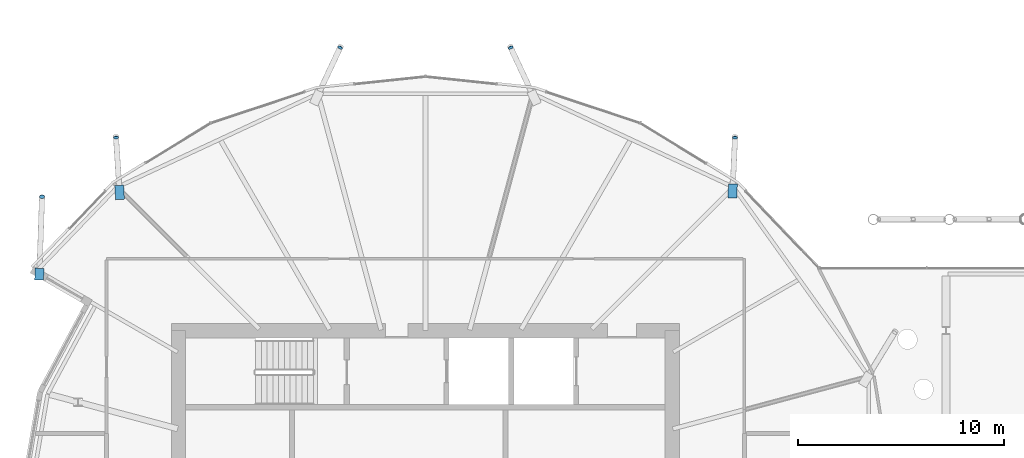
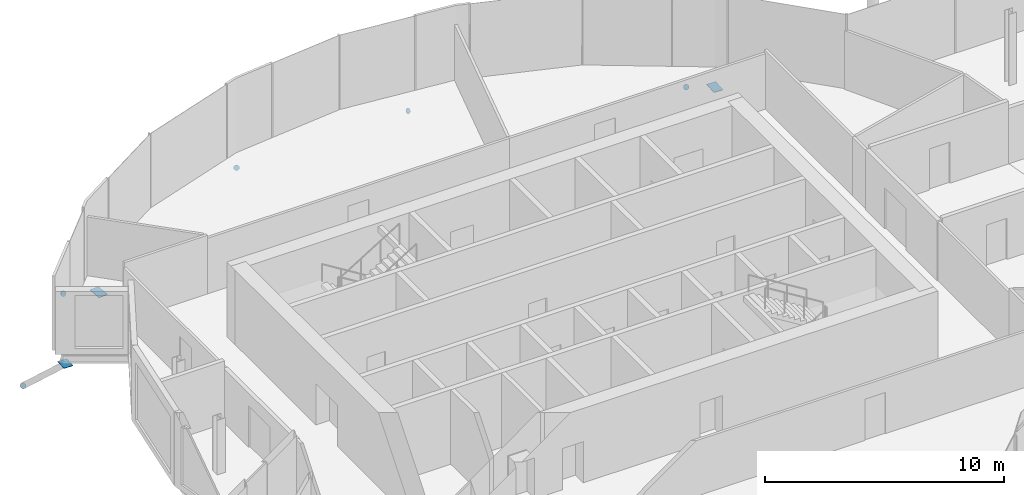
# One storey, part 33 of 39: 8 discrete accessories.
"""IFC4 building model written with IfcOpenShell, lengths in metres."""

from ifc_helpers import new_model, si_unit, direction, frame, origin, origin_2d, place, context, subcontext, project, spatial, polyline, rectangle, circle, outline, extrude, material, material_profile, profile_set, type_object, element, save


model = new_model("IFC4")

# Units and contexts
model_context = context("Model", 3, precision=1e-05, world=origin(), true_north=direction((0.0, 1.0)))
body_context = subcontext(model_context, "Body", "Model", "MODEL_VIEW")
ifc_project = project(units=[si_unit("LENGTHUNIT", "METRE"), si_unit("AREAUNIT", "SQUARE_METRE"), si_unit("VOLUMEUNIT", "CUBIC_METRE"), si_unit("PLANEANGLEUNIT", "RADIAN"), si_unit("MASSUNIT", "GRAM", prefix="KILO")], contexts=[model_context])

# Site, building, storey
site_placement = place(None, origin())
site = spatial("IfcSite", under=ifc_project, at=site_placement, CompositionType="ELEMENT")
building_placement = place(site_placement, origin())
building = spatial("IfcBuilding", under=site, at=building_placement, Name="Rimbun Link Towers", CompositionType="ELEMENT")
storey_placement = place(building_placement, frame((0.0, 0.0, 143.0)))
storey = spatial("IfcBuildingStorey", under=building, at=storey_placement, Name="L34", CompositionType="ELEMENT", Elevation=143.0)

# Discrete accessories
ifc_material_1 = material(Name="Steel S355J2H", Category="steel")
ifc_material_profile_1 = material_profile(ifc_material_1, circle(Radius=0.1240234375, at=origin_2d()), Name="PL D248")
ifc_profile_set_1 = profile_set([ifc_material_profile_1], Name="Steel S355J2H")
discrete_accessory_type_1 = type_object("IfcDiscreteAccessoryType", Name="Link foot sealing plate D248X20", PredefinedType="BRACKET", material=ifc_profile_set_1)
for number, where, z_axis, x_axis, name in (
    (1, (-16.7041015625, 17.367431640625, -2.33349609375), (0.03649321796, 0.85150841907, -0.523069457429), (-0.999082895818, 0.042817838392, 0.0), "Link foot sealing plate T1 L34 03"),
    (2, (-27.60302734375, 21.7470703125, -2.384521484375), (-0.367139038833, 0.783229949511, -0.501756686406), (-0.905458935959, -0.424433876231, 0.0), "Link foot sealing plate T1 L34 05"),
    (3, (-35.89697265625, 21.7470703125, -2.384521484375), (0.367139038833, 0.783229949511, -0.501756686406), (-0.905458935959, 0.424433876231, 0.0), "Link foot sealing plate T1 L34 07"),
    (4, (-46.785888671875, 17.373291015625, -2.343994140625), (-0.061134928182, 0.855888994553, -0.513533396732), (-0.997458699831, -0.071247049988, 0.0), "Link foot sealing plate T1 L34 09"),
    (5, (-50.382080078125, 14.49951171875, -4.04248046875), (0.024343224778, 0.742468355729, -0.669438681395), (-0.999462943033, 0.032769276821, 0.0), "Link foot sealing plate T1 L34 10"),
):
    element("IfcDiscreteAccessory", number, at=place(storey_placement, frame(where, z_axis=z_axis, x_axis=x_axis)), inside=storey, type_object=discrete_accessory_type_1, Name=name, PredefinedType="BRACKET", context=body_context, shape_type="SweptSolid", body=[
        extrude(circle(Radius=0.1240234375, at=origin_2d()), origin(), (0.0, 0.0, 1.0), 0.02001953125),
    ])
ifc_material_2 = material(Name="Steel S355J2H", Category="steel")
ifc_material_profile_2 = material_profile(ifc_material_2, rectangle(XDim=0.43310546875, YDim=0.43310546875, at=origin_2d()), Name="PL 433x433")
ifc_profile_set_2 = profile_set([ifc_material_profile_2], Name="Steel S355J2H")
discrete_accessory_type_2 = type_object("IfcDiscreteAccessoryType", Name="Link head end plate 433X20", PredefinedType="BRACKET", material=ifc_profile_set_2)
discrete_accessory_1_placement = place(storey_placement, frame((0.0, 0.0, -0.733154296875)))
element("IfcDiscreteAccessory", 6, at=discrete_accessory_1_placement, inside=storey, type_object=discrete_accessory_type_2, Name="Link head end plate T1 L34 03", PredefinedType="BRACKET", context=body_context, shape_type="SweptSolid", body=[
    extrude(outline(polyline([(-16.618896484375, 14.43310546875), (-16.58837890625, 15.111328125), (-17.02099609375, 15.130859375), (-17.05126953125, 14.452392578125), (-16.618896484375, 14.43310546875)])), origin(), (0.0, 0.0, 1.0), 0.02001953125),
])
discrete_accessory_2_placement = place(storey_placement, frame((0.0, 0.0, -0.733154296875)))
element("IfcDiscreteAccessory", 7, at=discrete_accessory_2_placement, inside=storey, type_object=discrete_accessory_type_2, Name="Link head end plate T1 L34 09", PredefinedType="BRACKET", context=body_context, shape_type="SweptSolid", body=[
    extrude(outline(polyline([(-46.374755859375, 14.384521484375), (-46.419189453125, 15.07080078125), (-46.851318359375, 15.042724609375), (-46.806884765625, 14.3564453125), (-46.374755859375, 14.384521484375)])), origin(), (0.0, 0.0, 1.0), 0.02001953125),
])
discrete_accessory_3_placement = place(storey_placement, frame((0.0, 0.0, -0.6064453125)))
element("IfcDiscreteAccessory", 8, at=discrete_accessory_3_placement, inside=storey, type_object=discrete_accessory_type_2, Name="Link head end plate T1 L34 10", PredefinedType="BRACKET", context=body_context, shape_type="SweptSolid", body=[
    extrude(outline(polyline([(-50.306884765625, 10.452392578125), (-50.287109375, 11.016845703125), (-50.719970703125, 11.031982421875), (-50.73974609375, 10.467529296875), (-50.306884765625, 10.452392578125)])), origin(), (0.0, 0.0, 1.0), 0.02001953125),
])

save(model, "model.ifc")
